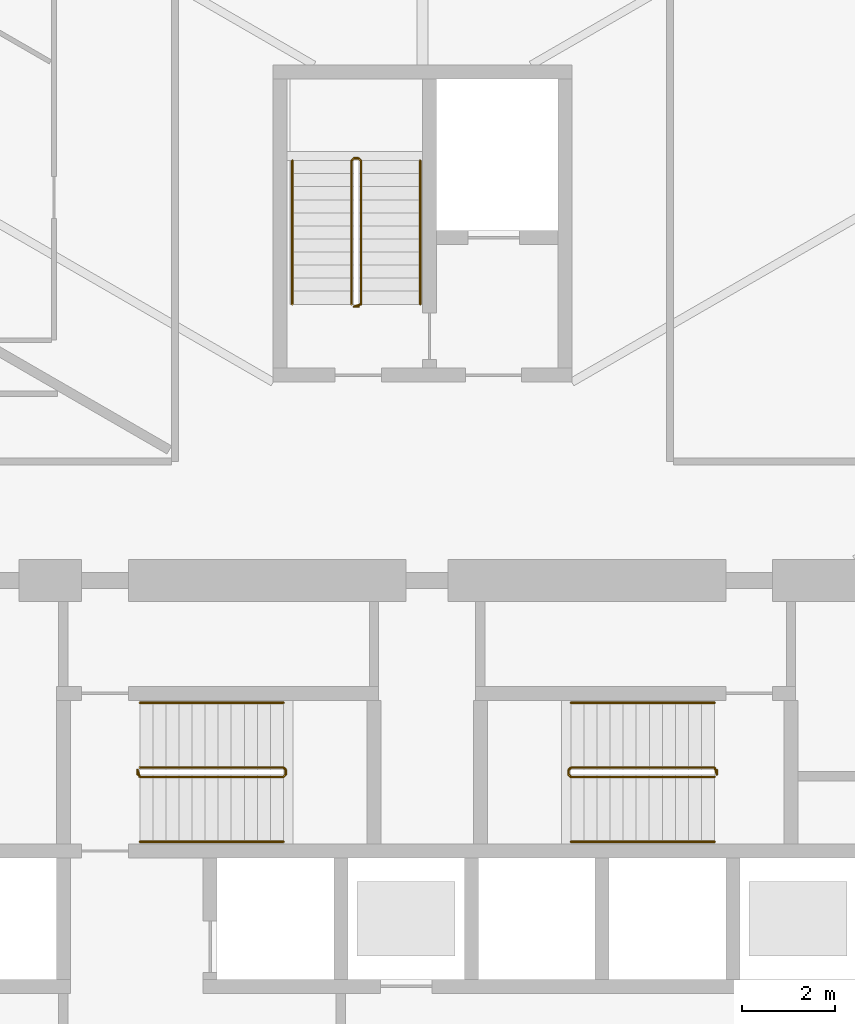
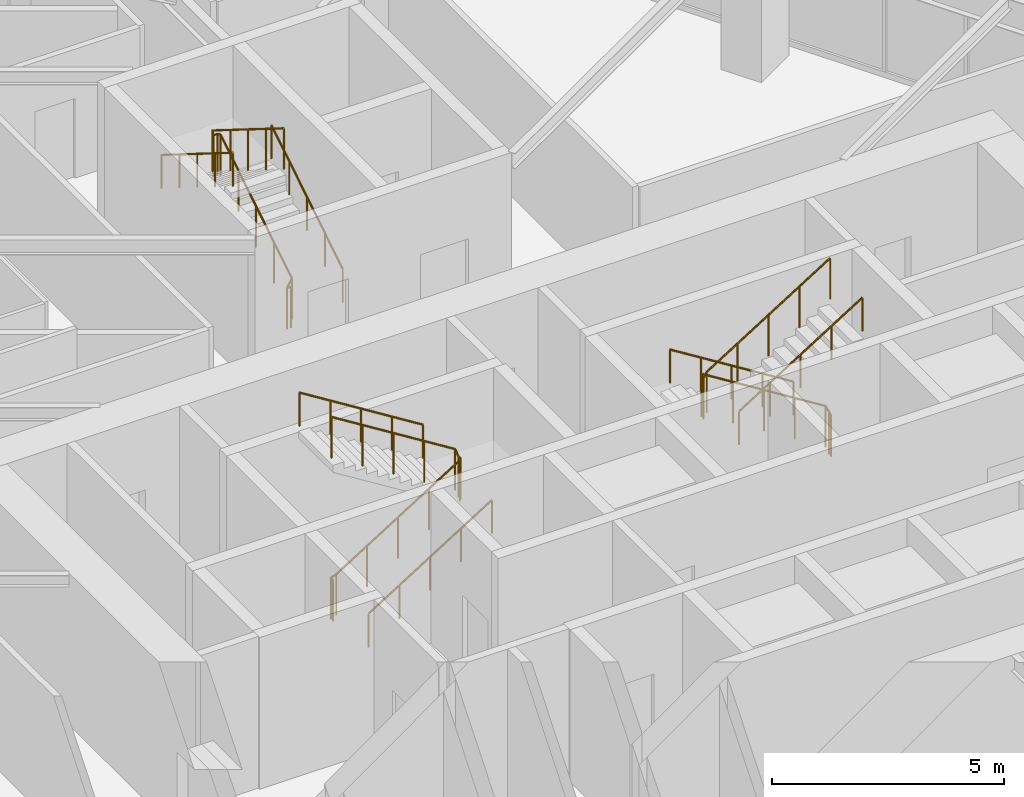
# One storey, part 20 of 21: 9 railings.
"""IFC4 building model written with IfcOpenShell, lengths in metres."""

from ifc_helpers import new_model, si_unit, direction, frame, origin, origin_2d, place, context, subcontext, project, spatial, circle, extrude, material, type_object, element, save


model = new_model("IFC4")

# Units and contexts
model_context = context("Model", 3, precision=1e-05, world=origin(), true_north=direction((0.0, 1.0)))
body_context = subcontext(model_context, "Body", "Model", "MODEL_VIEW")
ifc_project = project(units=[si_unit("LENGTHUNIT", "METRE"), si_unit("AREAUNIT", "SQUARE_METRE"), si_unit("VOLUMEUNIT", "CUBIC_METRE"), si_unit("PLANEANGLEUNIT", "RADIAN"), si_unit("MASSUNIT", "GRAM", prefix="KILO")], contexts=[model_context])

# Site, building, storey
site_placement = place(None, origin())
site = spatial("IfcSite", under=ifc_project, at=site_placement, CompositionType="ELEMENT")
building_placement = place(site_placement, origin())
building = spatial("IfcBuilding", under=site, at=building_placement, Name="Firuza Gate Tower and Library", CompositionType="ELEMENT")
storey_placement = place(building_placement, frame((0.0, 0.0, 69.39990234375)))
storey = spatial("IfcBuildingStorey", under=building, at=storey_placement, Name="L15", CompositionType="ELEMENT", Elevation=69.39990234375)

# Railings
ifc_material_1 = material(Name="Steel S355", Category="steel")
railing_type_1 = type_object("IfcRailingType", Name="Stair guard 1100", PredefinedType="GUARDRAIL", material=ifc_material_1)
railing_1_placement = place(storey_placement, frame((68.889892578125, 79.389892578125, 0.0)))
element("IfcRailing", 1, at=railing_1_placement, inside=storey, type_object=railing_type_1, Name="L15 ST1 stair guard 1", PredefinedType="GUARDRAIL", context=body_context, shape_type="SweptSolid", body=[
    extrude(circle(Radius=0.02392578125, at=origin_2d()), frame((0.0, 0.0, 1.076171875), z_axis=(0.0, 1.0, 0.0), x_axis=(-1.0, 0.0, 0.0)), (0.0, 0.0, 1.0), 0.10009765625),
    extrude(circle(Radius=0.02392578125, at=origin_2d()), frame((0.0, 0.10009765625, 1.076171875), z_axis=(0.21222055169, -0.635626432867, 0.742254319813), x_axis=(0.948528701346, 0.316691178788, 0.0)), (0.0, 0.0, 1.0), 0.23583984375),
    extrude(circle(Radius=0.02392578125, at=origin_2d()), frame((0.050048828125, -0.0498046875, 1.2509765625), z_axis=(0.847998304005, 0.0, 0.529998940003), x_axis=(0.0, 1.0, 0.0)), (0.0, 0.0, 1.0), 3.632080078125),
    extrude(circle(Radius=0.02392578125, at=origin_2d()), frame((3.130126953125, -0.0498046875, 3.17626953125), z_axis=(0.708833529934, 0.705375805398, 0.0), x_axis=(-0.705375805398, 0.708833529934, 0.0)), (0.0, 0.0, 1.0), 0.070556640625),
    extrude(circle(Radius=0.02392578125, at=origin_2d()), frame((3.18017578125, 0.0, 3.17626953125), z_axis=(0.0, 1.0, 0.0), x_axis=(-1.0, 0.0, 0.0)), (0.0, 0.0, 1.0), 0.10009765625),
    extrude(circle(Radius=0.02392578125, at=origin_2d()), frame((3.18017578125, 0.10009765625, 3.17626953125), z_axis=(-0.265065253269, 0.265065253269, 0.927081885822), x_axis=(-0.707106781187, -0.707106781187, 0.0)), (0.0, 0.0, 1.0), 0.188720703125),
    extrude(circle(Radius=0.02392578125, at=origin_2d()), frame((3.130126953125, 0.150146484375, 3.35107421875), z_axis=(-0.847998304005, 0.0, 0.529998940003), x_axis=(0.0, -1.0, 0.0)), (0.0, 0.0, 1.0), 3.632080078125),
    extrude(circle(Radius=0.02099609375, at=origin_2d()), origin(), (0.0, 0.0, 1.0), 1.052001953125),
    extrude(circle(Radius=0.02099609375, at=origin_2d()), frame((0.0, 0.10009765625, 0.0)), (0.0, 0.0, 1.0), 1.052001953125),
    extrude(circle(Radius=0.02099609375, at=origin_2d()), frame((0.050048828125, -0.0498046875, 0.175048828125)), (0.0, 0.0, 1.0), 1.052001953125),
    extrude(circle(Radius=0.02099609375, at=origin_2d()), frame((0.820068359375, -0.0498046875, 0.65625)), (0.0, 0.0, 1.0), 1.052001953125),
    extrude(circle(Radius=0.02099609375, at=origin_2d()), frame((1.590087890625, -0.0498046875, 1.1376953125)), (0.0, 0.0, 1.0), 1.052001953125),
    extrude(circle(Radius=0.02099609375, at=origin_2d()), frame((2.360107421875, -0.0498046875, 1.618896484375)), (0.0, 0.0, 1.0), 1.052001953125),
    extrude(circle(Radius=0.02099609375, at=origin_2d()), frame((3.130126953125, -0.0498046875, 2.10009765625)), (0.0, 0.0, 1.0), 1.052001953125),
    extrude(circle(Radius=0.02099609375, at=origin_2d()), frame((3.18017578125, 0.0, 2.10009765625)), (0.0, 0.0, 1.0), 1.052001953125),
    extrude(circle(Radius=0.02099609375, at=origin_2d()), frame((3.18017578125, 0.10009765625, 2.10009765625)), (0.0, 0.0, 1.0), 1.052001953125),
    extrude(circle(Radius=0.02099609375, at=origin_2d()), frame((3.130126953125, 0.150146484375, 2.275146484375)), (0.0, 0.0, 1.0), 1.052001953125),
    extrude(circle(Radius=0.02099609375, at=origin_2d()), frame((2.360107421875, 0.150146484375, 2.75634765625)), (0.0, 0.0, 1.0), 1.052001953125),
    extrude(circle(Radius=0.02099609375, at=origin_2d()), frame((1.590087890625, 0.150146484375, 3.23779296875)), (0.0, 0.0, 1.0), 1.052001953125),
    extrude(circle(Radius=0.02099609375, at=origin_2d()), frame((0.820068359375, 0.150146484375, 3.718994140625)), (0.0, 0.0, 1.0), 1.052001953125),
    extrude(circle(Radius=0.02099609375, at=origin_2d()), frame((0.050048828125, 0.150146484375, 4.2001953125)), (0.0, 0.0, 1.0), 1.052001953125),
])
railing_2_placement = place(storey_placement, frame((81.31005859375, 79.489990234375, 0.0)))
element("IfcRailing", 2, at=railing_2_placement, inside=storey, type_object=railing_type_1, Name="L15 ST2 stair guard 1", PredefinedType="GUARDRAIL", context=body_context, shape_type="SweptSolid", body=[
    extrude(circle(Radius=0.02392578125, at=origin_2d()), frame((0.0, 0.0, 1.076171875), z_axis=(0.0, -1.0, 0.0), x_axis=(1.0, 0.0, 0.0)), (0.0, 0.0, 1.0), 0.10009765625),
    extrude(circle(Radius=0.02392578125, at=origin_2d()), frame((0.0, -0.10009765625, 1.076171875), z_axis=(-0.212080931658, 0.636242794973, 0.741765990237), x_axis=(-0.948683298051, -0.316227766017, 0.0)), (0.0, 0.0, 1.0), 0.236083984375),
    extrude(circle(Radius=0.02392578125, at=origin_2d()), frame((-0.050048828125, 0.050048828125, 1.2509765625), z_axis=(-0.847998304005, 0.0, 0.529998940003), x_axis=(0.0, -1.0, 0.0)), (0.0, 0.0, 1.0), 3.632080078125),
    extrude(circle(Radius=0.02392578125, at=origin_2d()), frame((-3.130126953125, 0.050048828125, 3.17626953125), z_axis=(-0.707106781187, -0.707106781187, 0.0), x_axis=(0.707106781187, -0.707106781187, 0.0)), (0.0, 0.0, 1.0), 0.07080078125),
    extrude(circle(Radius=0.02392578125, at=origin_2d()), frame((-3.18017578125, 0.0, 3.17626953125), z_axis=(0.0, -1.0, 0.0), x_axis=(1.0, 0.0, 0.0)), (0.0, 0.0, 1.0), 0.10009765625),
    extrude(circle(Radius=0.02392578125, at=origin_2d()), frame((-3.18017578125, -0.10009765625, 3.17626953125), z_axis=(0.265155923931, -0.263862480399, 0.927399011991), x_axis=(0.705375805398, 0.708833529934, 0.0)), (0.0, 0.0, 1.0), 0.188720703125),
    extrude(circle(Radius=0.02392578125, at=origin_2d()), frame((-3.130126953125, -0.14990234375, 3.35107421875), z_axis=(0.847998304005, 0.0, 0.529998940003), x_axis=(0.0, 1.0, 0.0)), (0.0, 0.0, 1.0), 3.632080078125),
    extrude(circle(Radius=0.02099609375, at=origin_2d()), origin(), (0.0, 0.0, 1.0), 1.052001953125),
    extrude(circle(Radius=0.02099609375, at=origin_2d()), frame((0.0, -0.10009765625, 0.0)), (0.0, 0.0, 1.0), 1.052001953125),
    extrude(circle(Radius=0.02099609375, at=origin_2d()), frame((-0.050048828125, 0.050048828125, 0.175048828125)), (0.0, 0.0, 1.0), 1.052001953125),
    extrude(circle(Radius=0.02099609375, at=origin_2d()), frame((-0.820068359375, 0.050048828125, 0.65625)), (0.0, 0.0, 1.0), 1.052001953125),
    extrude(circle(Radius=0.02099609375, at=origin_2d()), frame((-1.590087890625, 0.050048828125, 1.1376953125)), (0.0, 0.0, 1.0), 1.052001953125),
    extrude(circle(Radius=0.02099609375, at=origin_2d()), frame((-2.360107421875, 0.050048828125, 1.618896484375)), (0.0, 0.0, 1.0), 1.052001953125),
    extrude(circle(Radius=0.02099609375, at=origin_2d()), frame((-3.130126953125, 0.050048828125, 2.10009765625)), (0.0, 0.0, 1.0), 1.052001953125),
    extrude(circle(Radius=0.02099609375, at=origin_2d()), frame((-3.18017578125, 0.0, 2.10009765625)), (0.0, 0.0, 1.0), 1.052001953125),
    extrude(circle(Radius=0.02099609375, at=origin_2d()), frame((-3.18017578125, -0.10009765625, 2.10009765625)), (0.0, 0.0, 1.0), 1.052001953125),
    extrude(circle(Radius=0.02099609375, at=origin_2d()), frame((-3.130126953125, -0.14990234375, 2.275146484375)), (0.0, 0.0, 1.0), 1.052001953125),
    extrude(circle(Radius=0.02099609375, at=origin_2d()), frame((-2.360107421875, -0.14990234375, 2.75634765625)), (0.0, 0.0, 1.0), 1.052001953125),
    extrude(circle(Radius=0.02099609375, at=origin_2d()), frame((-1.590087890625, -0.14990234375, 3.23779296875)), (0.0, 0.0, 1.0), 1.052001953125),
    extrude(circle(Radius=0.02099609375, at=origin_2d()), frame((-0.820068359375, -0.14990234375, 3.718994140625)), (0.0, 0.0, 1.0), 1.052001953125),
    extrude(circle(Radius=0.02099609375, at=origin_2d()), frame((-0.050048828125, -0.14990234375, 4.2001953125)), (0.0, 0.0, 1.0), 1.052001953125),
])
railing_3_placement = place(storey_placement, frame((73.6298828125, 89.419921875, 0.0)))
element("IfcRailing", 3, at=railing_3_placement, inside=storey, type_object=railing_type_1, Name="L15 ST3 stair guard 1", PredefinedType="GUARDRAIL", context=body_context, shape_type="SweptSolid", body=[
    extrude(circle(Radius=0.02392578125, at=origin_2d()), frame((0.0, 0.0, 1.076171875), z_axis=(-1.0, 0.0, 0.0), x_axis=(0.0, -1.0, 0.0)), (0.0, 0.0, 1.0), 0.099853515625),
    extrude(circle(Radius=0.02392578125, at=origin_2d()), frame((-0.099853515625, 0.0, 1.076171875), z_axis=(0.635626432867, 0.21222055169, 0.742254319813), x_axis=(-0.316691178788, 0.948528701346, 0.0)), (0.0, 0.0, 1.0), 0.23583984375),
    extrude(circle(Radius=0.02392578125, at=origin_2d()), frame((0.050048828125, 0.050048828125, 1.2509765625), z_axis=(0.0, 0.847998304005, 0.529998940003), x_axis=(-1.0, 0.0, 0.0)), (0.0, 0.0, 1.0), 3.632080078125),
    extrude(circle(Radius=0.02392578125, at=origin_2d()), frame((0.050048828125, 3.130126953125, 3.17626953125), z_axis=(-0.707106781187, 0.707106781187, 0.0), x_axis=(-0.707106781187, -0.707106781187, 0.0)), (0.0, 0.0, 1.0), 0.07080078125),
    extrude(circle(Radius=0.02392578125, at=origin_2d()), frame((0.0, 3.18017578125, 3.17626953125), z_axis=(-1.0, 0.0, 0.0), x_axis=(0.0, -1.0, 0.0)), (0.0, 0.0, 1.0), 0.099853515625),
    extrude(circle(Radius=0.02392578125, at=origin_2d()), frame((-0.099853515625, 3.18017578125, 3.17626953125), z_axis=(-0.265065253269, -0.265065253269, 0.927081885822), x_axis=(0.707106781187, -0.707106781187, 0.0)), (0.0, 0.0, 1.0), 0.188720703125),
    extrude(circle(Radius=0.02392578125, at=origin_2d()), frame((-0.14990234375, 3.130126953125, 3.35107421875), z_axis=(0.0, -0.847998304005, 0.529998940003), x_axis=(1.0, 0.0, 0.0)), (0.0, 0.0, 1.0), 3.632080078125),
    extrude(circle(Radius=0.02099609375, at=origin_2d()), origin(), (0.0, 0.0, 1.0), 1.052001953125),
    extrude(circle(Radius=0.02099609375, at=origin_2d()), frame((-0.099853515625, 0.0, 0.0)), (0.0, 0.0, 1.0), 1.052001953125),
    extrude(circle(Radius=0.02099609375, at=origin_2d()), frame((0.050048828125, 0.050048828125, 0.175048828125)), (0.0, 0.0, 1.0), 1.052001953125),
    extrude(circle(Radius=0.02099609375, at=origin_2d()), frame((0.050048828125, 0.820068359375, 0.65625)), (0.0, 0.0, 1.0), 1.052001953125),
    extrude(circle(Radius=0.02099609375, at=origin_2d()), frame((0.050048828125, 1.590087890625, 1.1376953125)), (0.0, 0.0, 1.0), 1.052001953125),
    extrude(circle(Radius=0.02099609375, at=origin_2d()), frame((0.050048828125, 2.360107421875, 1.618896484375)), (0.0, 0.0, 1.0), 1.052001953125),
    extrude(circle(Radius=0.02099609375, at=origin_2d()), frame((0.050048828125, 3.130126953125, 2.10009765625)), (0.0, 0.0, 1.0), 1.052001953125),
    extrude(circle(Radius=0.02099609375, at=origin_2d()), frame((0.0, 3.18017578125, 2.10009765625)), (0.0, 0.0, 1.0), 1.052001953125),
    extrude(circle(Radius=0.02099609375, at=origin_2d()), frame((-0.099853515625, 3.18017578125, 2.10009765625)), (0.0, 0.0, 1.0), 1.052001953125),
    extrude(circle(Radius=0.02099609375, at=origin_2d()), frame((-0.14990234375, 3.130126953125, 2.275146484375)), (0.0, 0.0, 1.0), 1.052001953125),
    extrude(circle(Radius=0.02099609375, at=origin_2d()), frame((-0.14990234375, 2.360107421875, 2.75634765625)), (0.0, 0.0, 1.0), 1.052001953125),
    extrude(circle(Radius=0.02099609375, at=origin_2d()), frame((-0.14990234375, 1.590087890625, 3.23779296875)), (0.0, 0.0, 1.0), 1.052001953125),
    extrude(circle(Radius=0.02099609375, at=origin_2d()), frame((-0.14990234375, 0.820068359375, 3.718994140625)), (0.0, 0.0, 1.0), 1.052001953125),
    extrude(circle(Radius=0.02099609375, at=origin_2d()), frame((-0.14990234375, 0.050048828125, 4.2001953125)), (0.0, 0.0, 1.0), 1.052001953125),
])
ifc_material_2 = material(Name="Steel S355", Category="steel")
railing_type_2 = type_object("IfcRailingType", Name="Stair handrail 900", PredefinedType="HANDRAIL", material=ifc_material_2)
railing_4_placement = place(storey_placement, frame((68.93994140625, 77.949951171875, 0.175048828125)))
element("IfcRailing", 4, at=railing_4_placement, inside=storey, type_object=railing_type_2, Name="L15 ST1 stair handrail 1", PredefinedType="HANDRAIL", context=body_context, shape_type="SweptSolid", body=[
    extrude(circle(Radius=0.02392578125, at=origin_2d()), frame((0.0, 0.0, 0.8759765625), z_axis=(0.847998304005, 0.0, 0.529998940003), x_axis=(0.0, 1.0, 0.0)), (0.0, 0.0, 1.0), 3.632080078125),
    extrude(circle(Radius=0.02099609375, at=origin_2d()), origin(), (0.0, 0.0, 1.0), 0.851806640625),
    extrude(circle(Radius=0.02099609375, at=origin_2d()), frame((0.77001953125, 0.0, 0.481201171875)), (0.0, 0.0, 1.0), 0.851806640625),
    extrude(circle(Radius=0.02099609375, at=origin_2d()), frame((1.5400390625, 0.0, 0.96240234375)), (0.0, 0.0, 1.0), 0.851806640625),
    extrude(circle(Radius=0.02099609375, at=origin_2d()), frame((2.31005859375, 0.0, 1.44384765625)), (0.0, 0.0, 1.0), 0.851806640625),
    extrude(circle(Radius=0.02099609375, at=origin_2d()), frame((3.080078125, 0.0, 1.925048828125)), (0.0, 0.0, 1.0), 0.851806640625),
])
for number, where, name in (
    (5, (72.02001953125, 80.929931640625, 2.275146484375), "L15 ST1 stair handrail 2"),
    (6, (81.260009765625, 80.929931640625, 0.175048828125), "L15 ST2 stair handrail 1"),
):
    element("IfcRailing", number, at=place(storey_placement, frame(where)), inside=storey, type_object=railing_type_2, Name=name, PredefinedType="HANDRAIL", context=body_context, shape_type="SweptSolid", body=[
        extrude(circle(Radius=0.02392578125, at=origin_2d()), frame((0.0, 0.0, 0.8759765625), z_axis=(-0.847998304005, 0.0, 0.529998940003), x_axis=(0.0, -1.0, 0.0)), (0.0, 0.0, 1.0), 3.632080078125),
        extrude(circle(Radius=0.02099609375, at=origin_2d()), origin(), (0.0, 0.0, 1.0), 0.851806640625),
        extrude(circle(Radius=0.02099609375, at=origin_2d()), frame((-0.77001953125, 0.0, 0.481201171875)), (0.0, 0.0, 1.0), 0.851806640625),
        extrude(circle(Radius=0.02099609375, at=origin_2d()), frame((-1.5400390625, 0.0, 0.96240234375)), (0.0, 0.0, 1.0), 0.851806640625),
        extrude(circle(Radius=0.02099609375, at=origin_2d()), frame((-2.31005859375, 0.0, 1.44384765625)), (0.0, 0.0, 1.0), 0.851806640625),
        extrude(circle(Radius=0.02099609375, at=origin_2d()), frame((-3.080078125, 0.0, 1.925048828125)), (0.0, 0.0, 1.0), 0.851806640625),
    ])
railing_5_placement = place(storey_placement, frame((78.179931640625, 77.949951171875, 2.275146484375)))
element("IfcRailing", 7, at=railing_5_placement, inside=storey, type_object=railing_type_2, Name="L15 ST2 stair handrail 2", PredefinedType="HANDRAIL", context=body_context, shape_type="SweptSolid", body=[
    extrude(circle(Radius=0.02392578125, at=origin_2d()), frame((0.0, 0.0, 0.8759765625), z_axis=(0.847998304005, 0.0, 0.529998940003), x_axis=(0.0, 1.0, 0.0)), (0.0, 0.0, 1.0), 3.632080078125),
    extrude(circle(Radius=0.02099609375, at=origin_2d()), origin(), (0.0, 0.0, 1.0), 0.851806640625),
    extrude(circle(Radius=0.02099609375, at=origin_2d()), frame((0.77001953125, 0.0, 0.481201171875)), (0.0, 0.0, 1.0), 0.851806640625),
    extrude(circle(Radius=0.02099609375, at=origin_2d()), frame((1.5400390625, 0.0, 0.96240234375)), (0.0, 0.0, 1.0), 0.851806640625),
    extrude(circle(Radius=0.02099609375, at=origin_2d()), frame((2.31005859375, 0.0, 1.44384765625)), (0.0, 0.0, 1.0), 0.851806640625),
    extrude(circle(Radius=0.02099609375, at=origin_2d()), frame((3.080078125, 0.0, 1.925048828125)), (0.0, 0.0, 1.0), 0.851806640625),
])
railing_6_placement = place(storey_placement, frame((74.949951171875, 89.469970703125, 0.175048828125)))
element("IfcRailing", 8, at=railing_6_placement, inside=storey, type_object=railing_type_2, Name="L15 ST3 stair handrail 1", PredefinedType="HANDRAIL", context=body_context, shape_type="SweptSolid", body=[
    extrude(circle(Radius=0.02392578125, at=origin_2d()), frame((0.0, 0.0, 0.8759765625), z_axis=(0.0, 0.847998304005, 0.529998940003), x_axis=(-1.0, 0.0, 0.0)), (0.0, 0.0, 1.0), 3.632080078125),
    extrude(circle(Radius=0.02099609375, at=origin_2d()), origin(), (0.0, 0.0, 1.0), 0.851806640625),
    extrude(circle(Radius=0.02099609375, at=origin_2d()), frame((0.0, 0.77001953125, 0.481201171875)), (0.0, 0.0, 1.0), 0.851806640625),
    extrude(circle(Radius=0.02099609375, at=origin_2d()), frame((0.0, 1.5400390625, 0.96240234375)), (0.0, 0.0, 1.0), 0.851806640625),
    extrude(circle(Radius=0.02099609375, at=origin_2d()), frame((0.0, 2.31005859375, 1.44384765625)), (0.0, 0.0, 1.0), 0.851806640625),
    extrude(circle(Radius=0.02099609375, at=origin_2d()), frame((0.0, 3.080078125, 1.925048828125)), (0.0, 0.0, 1.0), 0.851806640625),
])
railing_7_placement = place(storey_placement, frame((72.2099609375, 92.550048828125, 2.275146484375)))
element("IfcRailing", 9, at=railing_7_placement, inside=storey, type_object=railing_type_2, Name="L15 ST3 stair handrail 2", PredefinedType="HANDRAIL", context=body_context, shape_type="SweptSolid", body=[
    extrude(circle(Radius=0.02392578125, at=origin_2d()), frame((0.0, 0.0, 0.8759765625), z_axis=(0.0, -0.847998304005, 0.529998940003), x_axis=(1.0, 0.0, 0.0)), (0.0, 0.0, 1.0), 3.632080078125),
    extrude(circle(Radius=0.02099609375, at=origin_2d()), origin(), (0.0, 0.0, 1.0), 0.851806640625),
    extrude(circle(Radius=0.02099609375, at=origin_2d()), frame((0.0, -0.77001953125, 0.481201171875)), (0.0, 0.0, 1.0), 0.851806640625),
    extrude(circle(Radius=0.02099609375, at=origin_2d()), frame((0.0, -1.5400390625, 0.96240234375)), (0.0, 0.0, 1.0), 0.851806640625),
    extrude(circle(Radius=0.02099609375, at=origin_2d()), frame((0.0, -2.31005859375, 1.44384765625)), (0.0, 0.0, 1.0), 0.851806640625),
    extrude(circle(Radius=0.02099609375, at=origin_2d()), frame((0.0, -3.080078125, 1.925048828125)), (0.0, 0.0, 1.0), 0.851806640625),
])

save(model, "model.ifc")
